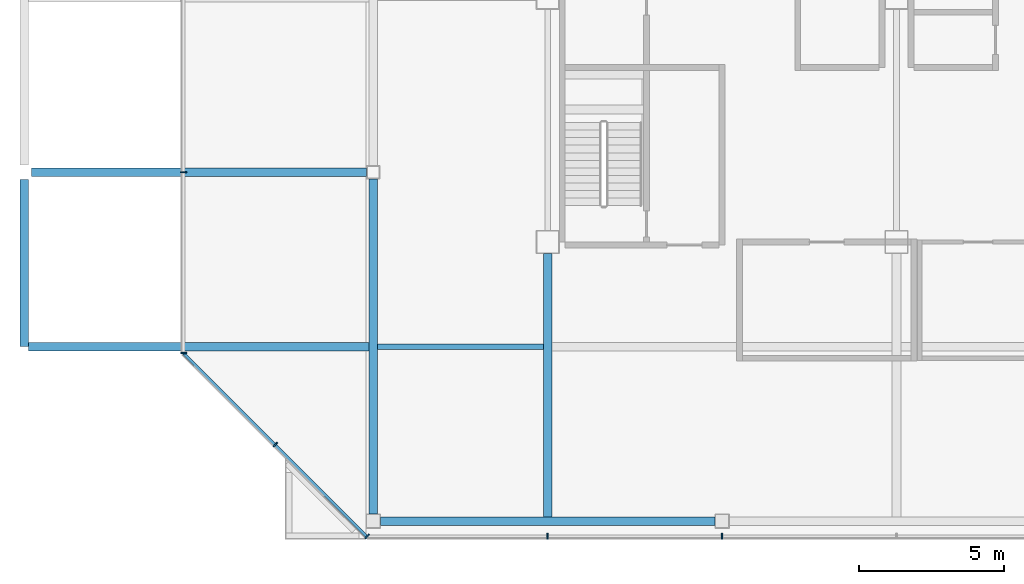
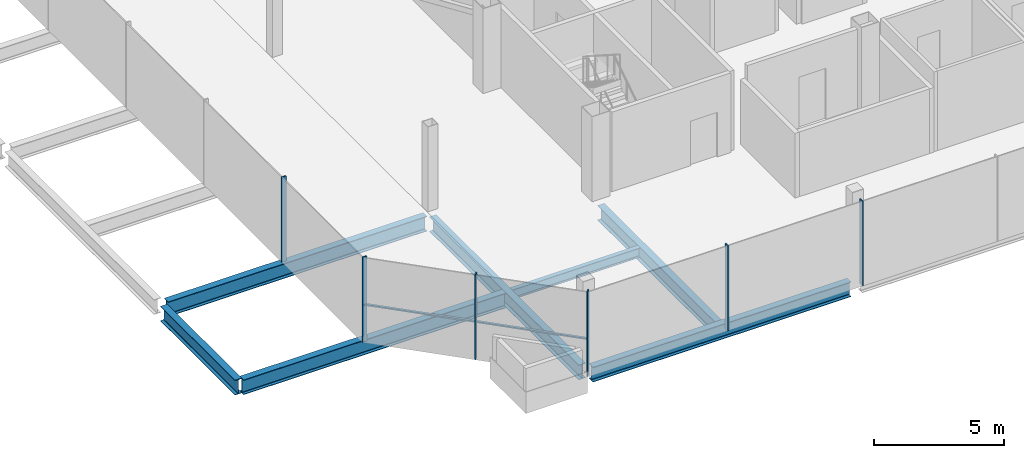
# One storey, part 2 of 17: 7 beams, 7 members, 3 elements without a shape of their own.
"""IFC4 building model written with IfcOpenShell, lengths in metres."""

from ifc_helpers import new_model, si_unit, direction, frame, origin, origin_2d, place, context, subcontext, project, spatial, rectangle, i_section, extrude, material, material_profile, profile_set, type_object, element, aggregate, save


model = new_model("IFC4")

# Units and contexts
model_context = context("Model", 3, precision=1e-05, world=origin(), true_north=direction((0.0, 1.0)))
body_context = subcontext(model_context, "Body", "Model", "MODEL_VIEW")
ifc_project = project(units=[si_unit("LENGTHUNIT", "METRE"), si_unit("AREAUNIT", "SQUARE_METRE"), si_unit("VOLUMEUNIT", "CUBIC_METRE"), si_unit("PLANEANGLEUNIT", "RADIAN"), si_unit("MASSUNIT", "GRAM", prefix="KILO")], contexts=[model_context])

# Site, building, storey
site_placement = place(None, origin())
site = spatial("IfcSite", under=ifc_project, at=site_placement, CompositionType="ELEMENT")
building_placement = place(site_placement, origin())
building = spatial("IfcBuilding", under=site, at=building_placement, Name="Sorahane Residences", CompositionType="ELEMENT")
storey_placement = place(building_placement, frame((0.0, 0.0, 341.800048828125)))
storey = spatial("IfcBuildingStorey", under=building, at=storey_placement, Name="L81", CompositionType="ELEMENT", Elevation=341.800048828125)

# Curtain wall, members
ifc_material_1 = material(Name="Dark low-e glass and black anodised aluminium", Category="aluminium")
curtain_wall_type = type_object("IfcCurtainWallType", Name="Curtain wall CW-6 Crown unitised wall", PredefinedType="NOTDEFINED", material=ifc_material_1)
curtain_wall_1_placement = place(storey_placement, origin())
curtain_wall_1 = element("IfcCurtainWall", 1, at=curtain_wall_1_placement, inside=storey, type_object=curtain_wall_type, Name="CW-6 curtain wall L81 S1", PredefinedType="NOTDEFINED")
ifc_material_2 = material(Name="Black anodised aluminium", Category="aluminium")
ifc_material_profile_1 = material_profile(ifc_material_2, rectangle(XDim=0.199951171875, YDim=0.050048828125, at=origin_2d()), Name="Curtain wall mullion CW-6 black anodised aluminium 50x200")
ifc_profile_set_1 = profile_set([ifc_material_profile_1], Name="Black anodised aluminium")
member_type_1 = type_object("IfcMemberType", Name="Curtain wall mullion CW-6 black anodised aluminium 50x200", PredefinedType="MULLION", material=ifc_profile_set_1)
member_1_placement = place(storey_placement, frame((6.0, 11.47998046875, -0.25), z_axis=(0.0, 0.0, 1.0), x_axis=(0.0, -1.0, 0.0)))
member_1 = element("IfcMember", 2, at=member_1_placement, type_object=member_type_1, Name="CW-6 mullion L81 S1.2", PredefinedType="MULLION", context=body_context, shape_type="SweptSolid", body=[
    extrude(rectangle(XDim=0.199951171875, YDim=0.050048828125, at=origin_2d()), origin(), (0.0, 0.0, 1.0), 4.0),
])
member_2_placement = place(storey_placement, frame((12.0, 11.47998046875, -0.25), z_axis=(0.0, 0.0, 1.0), x_axis=(0.0, -1.0, 0.0)))
member_2 = element("IfcMember", 3, at=member_2_placement, type_object=member_type_1, Name="CW-6 mullion L81 S1.3", PredefinedType="MULLION", context=body_context, shape_type="SweptSolid", body=[
    extrude(rectangle(XDim=0.199951171875, YDim=0.050048828125, at=origin_2d()), origin(), (0.0, 0.0, 1.0), 4.0),
])
aggregate(curtain_wall_1, [member_1, member_2])

curtain_wall_2_placement = place(storey_placement, origin())
curtain_wall_2 = element("IfcCurtainWall", 4, at=curtain_wall_2_placement, inside=storey, type_object=curtain_wall_type, Name="CW-6 curtain wall L81 W1", PredefinedType="NOTDEFINED")
member_3_placement = place(storey_placement, frame((-6.52001953125, 24.0, -0.25), z_axis=(0.0, 0.0, 1.0), x_axis=(-1.0, 0.0, 0.0)))
member_3 = element("IfcMember", 5, at=member_3_placement, type_object=member_type_1, Name="CW-6 mullion L81 W1.5", PredefinedType="MULLION", context=body_context, shape_type="SweptSolid", body=[
    extrude(rectangle(XDim=0.199951171875, YDim=0.050048828125, at=origin_2d()), origin(), (0.0, 0.0, 1.0), 4.0),
])
member_4_placement = place(storey_placement, frame((-6.52001953125, 17.7763671875, -0.25), z_axis=(0.0, 0.0, 1.0), x_axis=(-1.0, 0.0, 0.0)))
member_4 = element("IfcMember", 6, at=member_4_placement, type_object=member_type_1, Name="CW-6 mullion L81 W1.6", PredefinedType="MULLION", context=body_context, shape_type="SweptSolid", body=[
    extrude(rectangle(XDim=0.199951171875, YDim=0.050048828125, at=origin_2d()), origin(), (0.0, 0.0, 1.0), 4.0),
])
aggregate(curtain_wall_2, [member_3, member_4])

curtain_wall_3_placement = place(storey_placement, origin())
curtain_wall_3 = element("IfcCurtainWall", 7, at=curtain_wall_3_placement, inside=storey, type_object=curtain_wall_type, Name="CW-6 curtain wall L81 SW1", PredefinedType="NOTDEFINED")
member_5_placement = place(storey_placement, frame((-3.36767578125, 14.63232421875, -0.25), z_axis=(0.0, 0.0, 1.0), x_axis=(-0.707106781187, -0.707106781187, 0.0)))
member_5 = element("IfcMember", 8, at=member_5_placement, type_object=member_type_1, Name="CW-6 mullion L81 SW1.2", PredefinedType="MULLION", context=body_context, shape_type="SweptSolid", body=[
    extrude(rectangle(XDim=0.199951171875, YDim=0.050048828125, at=origin_2d()), origin(), (0.0, 0.0, 1.0), 4.0),
])
member_6_placement = place(storey_placement, frame((-0.209716796875, 11.474365234375, -0.25), z_axis=(0.0, 0.0, 1.0), x_axis=(-0.707106781187, -0.707106781187, 0.0)))
member_6 = element("IfcMember", 9, at=member_6_placement, type_object=member_type_1, Name="CW-6 mullion L81 SW1.3", PredefinedType="MULLION", context=body_context, shape_type="SweptSolid", body=[
    extrude(rectangle(XDim=0.199951171875, YDim=0.050048828125, at=origin_2d()), origin(), (0.0, 0.0, 1.0), 4.0),
])
ifc_material_3 = material(Name="Black anodised aluminium", Category="aluminium")
ifc_material_profile_2 = material_profile(ifc_material_3, rectangle(XDim=0.10009765625, YDim=0.06005859375, at=origin_2d()), Name="Curtain wall transom CW-6 black anodised aluminium 60x100")
ifc_profile_set_2 = profile_set([ifc_material_profile_2], Name="Black anodised aluminium")
member_type_2 = type_object("IfcMemberType", Name="Curtain wall transom CW-6 black anodised aluminium 60x100", PredefinedType="USERDEFINED", material=ifc_profile_set_2)
member_7_placement = place(storey_placement, frame((-6.51513671875, 17.765625, 1.5), z_axis=(0.707106781187, -0.707106781187, 0.0), x_axis=(0.707106781187, 0.707106781187, 0.0)))
member_7 = element("IfcMember", 10, at=member_7_placement, type_object=member_type_2, Name="CW-6 transom L81 SW1", ObjectType="TRANSOM", PredefinedType="USERDEFINED", context=body_context, shape_type="SweptSolid", body=[
    extrude(rectangle(XDim=0.10009765625, YDim=0.06005859375, at=origin_2d()), origin(), (0.0, 0.0, 1.0), 8.88232421875),
])
aggregate(curtain_wall_3, [member_5, member_6, member_7])

# Beams
ifc_material_4 = material(Name="Steel Q355B", Category="steel")
ifc_material_profile_3 = material_profile(ifc_material_4, i_section(OverallWidth=0.199951171875, OverallDepth=0.449951171875, WebThickness=0.009033203125, FlangeThickness=0.013916015625, FilletRadius=0.02001953125, at=origin_2d()), Name="HN 450x200x9x14")
ifc_profile_set_3 = profile_set([ifc_material_profile_3], Name="Steel Q355B")
beam_type_1 = type_object("IfcBeamType", Name="Steel floor beam HN 450x200x9x14 Q355B", PredefinedType="BEAM", material=ifc_profile_set_3)
beam_1_placement = place(storey_placement, frame((0.14990234375, 18.0, -0.47509765625), z_axis=(1.0, 0.0, 0.0), x_axis=(0.0, 1.0, 0.0)))
element("IfcBeam", 11, at=beam_1_placement, inside=storey, type_object=beam_type_1, Name="Beam L81 040", PredefinedType="BEAM", context=body_context, shape_type="SweptSolid", body=[
    extrude(i_section(OverallWidth=0.199951171875, OverallDepth=0.449951171875, WebThickness=0.009033203125, FlangeThickness=0.013916015625, FilletRadius=0.02001953125, at=origin_2d()), origin(), (0.0, 0.0, 1.0), 5.7001953125),
])
ifc_material_5 = material(Name="Steel Q355B", Category="steel")
ifc_material_profile_4 = material_profile(ifc_material_5, i_section(OverallWidth=0.300048828125, OverallDepth=0.699951171875, WebThickness=0.012939453125, FlangeThickness=0.02392578125, FilletRadius=0.028076171875, at=origin_2d()), Name="HN 700x300x13x24")
ifc_profile_set_4 = profile_set([ifc_material_profile_4], Name="Steel Q355B")
beam_type_2 = type_object("IfcBeamType", Name="Steel floor beam HN 700x300x13x24 Q355B", PredefinedType="BEAM", material=ifc_profile_set_4)
beam_2_placement = place(storey_placement, frame((0.25, 12.0, -0.60009765625), z_axis=(1.0, 0.0, 0.0), x_axis=(0.0, 1.0, 0.0)))
element("IfcBeam", 12, at=beam_2_placement, inside=storey, type_object=beam_type_2, Name="Beam L81 000", PredefinedType="BEAM", context=body_context, shape_type="SweptSolid", body=[
    extrude(i_section(OverallWidth=0.300048828125, OverallDepth=0.699951171875, WebThickness=0.012939453125, FlangeThickness=0.02392578125, FilletRadius=0.028076171875, at=origin_2d()), origin(), (0.0, 0.0, 1.0), 11.5),
])
beam_3_placement = place(storey_placement, frame((-11.75, 24.0, -0.60009765625), z_axis=(1.0, 0.0, 0.0), x_axis=(0.0, 1.0, 0.0)))
element("IfcBeam", 13, at=beam_3_placement, inside=storey, type_object=beam_type_2, Name="Beam L81 003", PredefinedType="BEAM", context=body_context, shape_type="SweptSolid", body=[
    extrude(i_section(OverallWidth=0.300048828125, OverallDepth=0.699951171875, WebThickness=0.012939453125, FlangeThickness=0.02392578125, FilletRadius=0.028076171875, at=origin_2d()), origin(), (0.0, 0.0, 1.0), 11.52490234375),
])
beam_4_placement = place(storey_placement, frame((-12.0, 18.0, -0.60009765625), z_axis=(0.0, 1.0, 0.0), x_axis=(-1.0, 0.0, 0.0)))
element("IfcBeam", 14, at=beam_4_placement, inside=storey, type_object=beam_type_2, Name="Beam L81 012", PredefinedType="BEAM", context=body_context, shape_type="SweptSolid", body=[
    extrude(i_section(OverallWidth=0.300048828125, OverallDepth=0.699951171875, WebThickness=0.012939453125, FlangeThickness=0.02392578125, FilletRadius=0.028076171875, at=origin_2d()), origin(), (0.0, 0.0, 1.0), 5.75),
])
beam_5_placement = place(storey_placement, frame((0.0, 12.25, -0.60009765625), z_axis=(0.0, 1.0, 0.0), x_axis=(-1.0, 0.0, 0.0)))
element("IfcBeam", 15, at=beam_5_placement, inside=storey, type_object=beam_type_2, Name="Beam L81 013", PredefinedType="BEAM", context=body_context, shape_type="SweptSolid", body=[
    extrude(i_section(OverallWidth=0.300048828125, OverallDepth=0.699951171875, WebThickness=0.012939453125, FlangeThickness=0.02392578125, FilletRadius=0.028076171875, at=origin_2d()), origin(), (0.0, 0.0, 1.0), 11.52490234375),
])
beam_6_placement = place(storey_placement, frame((6.0, 12.14990234375, -0.60009765625), z_axis=(0.0, 1.0, 0.0), x_axis=(-1.0, 0.0, 0.0)))
element("IfcBeam", 16, at=beam_6_placement, inside=storey, type_object=beam_type_2, Name="Beam L81 016", PredefinedType="BEAM", context=body_context, shape_type="SweptSolid", body=[
    extrude(i_section(OverallWidth=0.300048828125, OverallDepth=0.699951171875, WebThickness=0.012939453125, FlangeThickness=0.02392578125, FilletRadius=0.028076171875, at=origin_2d()), origin(), (0.0, 0.0, 1.0), 9.050048828125),
])
beam_7_placement = place(storey_placement, frame((-11.85009765625, 18.0, -0.60009765625), z_axis=(1.0, 0.0, 0.0), x_axis=(0.0, 1.0, 0.0)))
element("IfcBeam", 17, at=beam_7_placement, inside=storey, type_object=beam_type_2, Name="Beam L81 039", PredefinedType="BEAM", context=body_context, shape_type="SweptSolid", body=[
    extrude(i_section(OverallWidth=0.300048828125, OverallDepth=0.699951171875, WebThickness=0.012939453125, FlangeThickness=0.02392578125, FilletRadius=0.028076171875, at=origin_2d()), origin(), (0.0, 0.0, 1.0), 11.7001953125),
])

save(model, "model.ifc")
